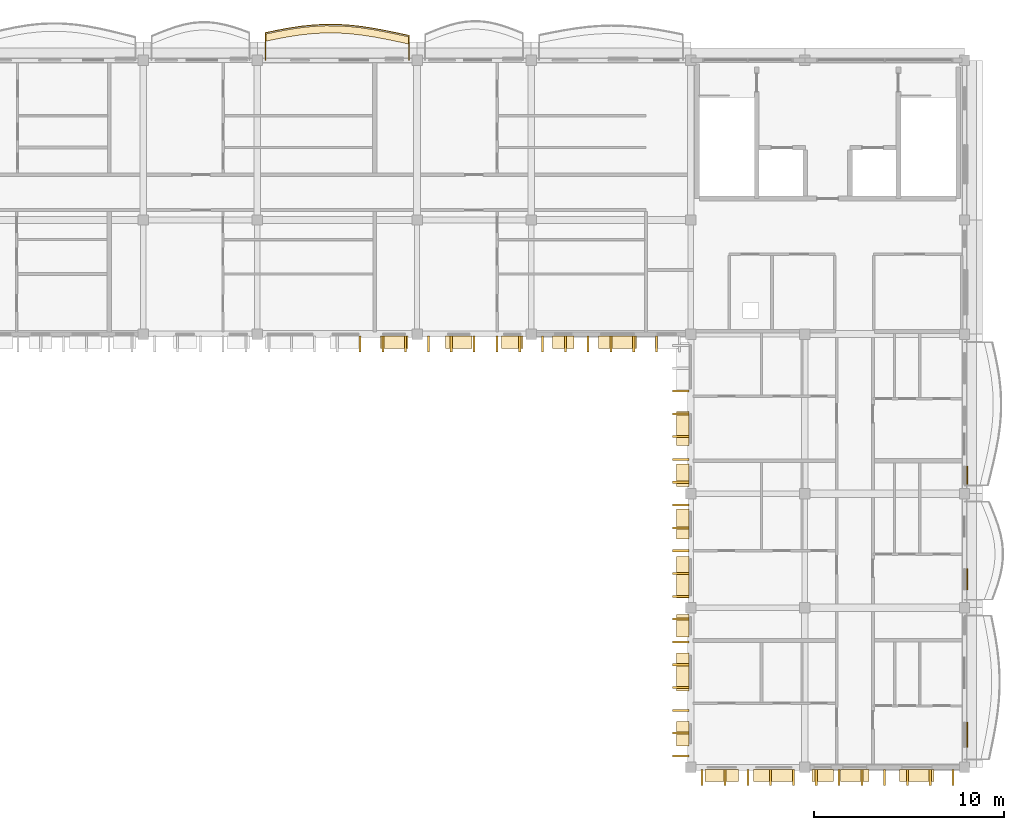
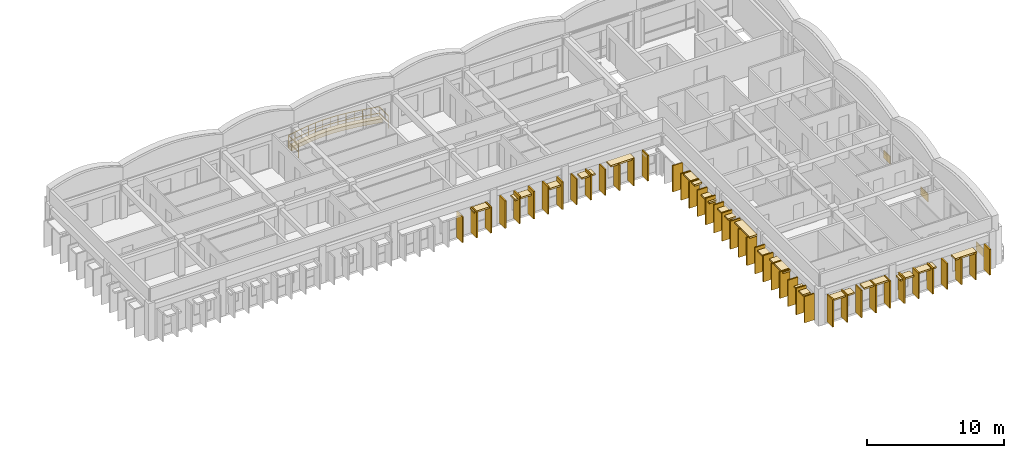
# One storey, part 25 of 28: 64 coverings, 1 railing.
"""IFC4 building model written with IfcOpenShell, lengths in metres."""

from ifc_helpers import new_model, si_unit, direction, frame, origin, origin_2d, place, context, subcontext, project, spatial, polyline, rectangle, outline, extrude, material, layer, layer_set, type_object, element, save


model = new_model("IFC4")

# Units and contexts
model_context = context("Model", 3, precision=1e-05, world=origin(), true_north=direction((0.0, 1.0)))
body_context = subcontext(model_context, "Body", "Model", "MODEL_VIEW")
ifc_project = project(units=[si_unit("LENGTHUNIT", "METRE"), si_unit("AREAUNIT", "SQUARE_METRE"), si_unit("VOLUMEUNIT", "CUBIC_METRE"), si_unit("PLANEANGLEUNIT", "RADIAN"), si_unit("MASSUNIT", "GRAM", prefix="KILO"), si_unit("THERMODYNAMICTEMPERATUREUNIT", "KELVIN")], contexts=[model_context])

# Site, building, storey
site_placement = place(None, origin())
site = spatial("IfcSite", under=ifc_project, at=site_placement, CompositionType="ELEMENT")
building_placement = place(site_placement, origin())
building = spatial("IfcBuilding", under=site, at=building_placement, Name="Thalorik Housing Commons", CompositionType="ELEMENT")
storey_placement = place(building_placement, frame((0.0, 0.0, 41.10009765625)))
storey = spatial("IfcBuildingStorey", under=building, at=storey_placement, Name="L12", CompositionType="ELEMENT", Elevation=41.10009765625)

# Coverings
ifc_material_1 = material(Name="Cobalt blue glazed ceramic facade tile panel", Category="masonry")
ifc_layer_1 = layer(ifc_material_1, 0.06005859375, Name="Cobalt blue glazed ceramic facade tile panel", Category="masonry")
ifc_layer_set_1 = layer_set([ifc_layer_1], Name="Cobalt blue glazed ceramic facade tile panel")
covering_type_1 = type_object("IfcCoveringType", Name="ARC-CLD-BLU-60", PredefinedType="CLADDING", material=ifc_layer_set_1)
covering_1_placement = place(storey_placement, frame((166.9375, 101.760009765625, 0.0498046875), z_axis=(0.0, 0.0, 1.0), x_axis=(0.0, 1.0, 0.0)))
element("IfcCovering", 1, at=covering_1_placement, inside=storey, type_object=covering_type_1, Name="L12 De Stijl Recessed Window Spandrel 3400", PredefinedType="CLADDING", context=body_context, shape_type="SweptSolid", body=[
    extrude(rectangle(XDim=0.949951171875, YDim=0.06005859375, at=origin_2d()), origin(), (0.0, 0.0, 1.0), 0.699951171875),
])
ifc_material_2 = material(Name="Precast concrete C40/50", Category="concrete")
ifc_layer_2 = layer(ifc_material_2, 0.85009765625, Name="Precast concrete C40/50", Category="concrete")
ifc_layer_set_2 = layer_set([ifc_layer_2], Name="Precast concrete C40/50")
covering_type_2 = type_object("IfcCoveringType", Name="ARC-CLD-FIN-850", PredefinedType="CLADDING", material=ifc_layer_set_2)
for number, where, z_axis, x_axis, name in (
    (2, (135.0, 108.672607421875, 0.0400390625), (0.0, 0.0, 1.0), (1.0, 0.0, 0.0), "L12 Courtyard Precast Vertical Brise-Soleil Fin 3328"),
    (3, (136.199951171875, 108.672607421875, 0.0400390625), (0.0, 0.0, 1.0), (1.0, 0.0, 0.0), "L12 Courtyard Precast Vertical Brise-Soleil Fin 3329"),
    (4, (137.39990234375, 108.672607421875, 0.0400390625), (0.0, 0.0, 1.0), (1.0, 0.0, 0.0), "L12 Courtyard Precast Vertical Brise-Soleil Fin 3330"),
):
    element("IfcCovering", number, at=place(storey_placement, frame(where, z_axis=z_axis, x_axis=x_axis)), inside=storey, type_object=covering_type_2, Name=name, PredefinedType="CLADDING", context=body_context, shape_type="SweptSolid", body=[
        extrude(rectangle(XDim=0.110107421875, YDim=0.85009765625, at=origin_2d()), origin(), (0.0, 0.0, 1.0), 2.294921875),
    ])
for number, where, z_axis, x_axis, name in (
    (5, (138.60009765625, 108.672607421875, 0.0400390625), (0.0, 0.0, 1.0), (1.0, 0.0, 0.0), "L12 Courtyard Precast Vertical Brise-Soleil Fin 3334"),
    (6, (139.800048828125, 108.672607421875, 0.0400390625), (0.0, 0.0, 1.0), (1.0, 0.0, 0.0), "L12 Courtyard Precast Vertical Brise-Soleil Fin 3335"),
    (7, (141.0, 108.672607421875, 0.0400390625), (0.0, 0.0, 1.0), (1.0, 0.0, 0.0), "L12 Courtyard Precast Vertical Brise-Soleil Fin 3336"),
    (8, (142.199951171875, 108.672607421875, 0.0400390625), (0.0, 0.0, 1.0), (1.0, 0.0, 0.0), "L12 Courtyard Precast Vertical Brise-Soleil Fin 3337"),
    (9, (143.39990234375, 108.672607421875, 0.0400390625), (0.0, 0.0, 1.0), (1.0, 0.0, 0.0), "L12 Courtyard Precast Vertical Brise-Soleil Fin 3338"),
):
    element("IfcCovering", number, at=place(storey_placement, frame(where, z_axis=z_axis, x_axis=x_axis)), inside=storey, type_object=covering_type_2, Name=name, PredefinedType="CLADDING", context=body_context, shape_type="SweptSolid", body=[
        extrude(rectangle(XDim=0.110107421875, YDim=0.85009765625, at=origin_2d()), origin(), (0.0, 0.0, 1.0), 2.445068359375),
    ])
for number, where, z_axis, x_axis, name in (
    (10, (144.60009765625, 108.672607421875, 0.0400390625), (0.0, 0.0, 1.0), (1.0, 0.0, 0.0), "L12 Courtyard Precast Vertical Brise-Soleil Fin 3341"),
    (11, (145.800048828125, 108.672607421875, 0.0400390625), (0.0, 0.0, 1.0), (1.0, 0.0, 0.0), "L12 Courtyard Precast Vertical Brise-Soleil Fin 3342"),
    (12, (147.0, 108.672607421875, 0.0400390625), (0.0, 0.0, 1.0), (1.0, 0.0, 0.0), "L12 Courtyard Precast Vertical Brise-Soleil Fin 3343"),
    (13, (148.199951171875, 108.672607421875, 0.0400390625), (0.0, 0.0, 1.0), (1.0, 0.0, 0.0), "L12 Courtyard Precast Vertical Brise-Soleil Fin 3344"),
    (14, (149.39990234375, 108.672607421875, 0.0400390625), (0.0, 0.0, 1.0), (1.0, 0.0, 0.0), "L12 Courtyard Precast Vertical Brise-Soleil Fin 3345"),
    (15, (150.60009765625, 108.672607421875, 0.0400390625), (0.0, 0.0, 1.0), (1.0, 0.0, 0.0), "L12 Courtyard Precast Vertical Brise-Soleil Fin 3346"),
):
    element("IfcCovering", number, at=place(storey_placement, frame(where, z_axis=z_axis, x_axis=x_axis)), inside=storey, type_object=covering_type_2, Name=name, PredefinedType="CLADDING", context=body_context, shape_type="SweptSolid", body=[
        extrude(rectangle(XDim=0.110107421875, YDim=0.85009765625, at=origin_2d()), origin(), (0.0, 0.0, 1.0), 2.294921875),
    ])
for number, where, z_axis, x_axis, name in (
    (16, (151.87255859375, 106.199951171875, 0.0400390625), (0.0, 0.0, 1.0), (0.0, -1.0, 0.0), "L12 Courtyard Precast Vertical Brise-Soleil Fin 3353"),
    (17, (151.87255859375, 105.0, 0.0400390625), (0.0, 0.0, 1.0), (0.0, -1.0, 0.0), "L12 Courtyard Precast Vertical Brise-Soleil Fin 3354"),
    (18, (151.87255859375, 103.800048828125, 0.0400390625), (0.0, 0.0, 1.0), (0.0, -1.0, 0.0), "L12 Courtyard Precast Vertical Brise-Soleil Fin 3355"),
    (19, (151.87255859375, 102.60009765625, 0.0400390625), (0.0, 0.0, 1.0), (0.0, -1.0, 0.0), "L12 Courtyard Precast Vertical Brise-Soleil Fin 3356"),
    (20, (151.87255859375, 101.39990234375, 0.0400390625), (0.0, 0.0, 1.0), (0.0, -1.0, 0.0), "L12 Courtyard Precast Vertical Brise-Soleil Fin 3357"),
):
    element("IfcCovering", number, at=place(storey_placement, frame(where, z_axis=z_axis, x_axis=x_axis)), inside=storey, type_object=covering_type_2, Name=name, PredefinedType="CLADDING", context=body_context, shape_type="SweptSolid", body=[
        extrude(rectangle(XDim=0.110107421875, YDim=0.85009765625, at=origin_2d()), origin(), (0.0, 0.0, 1.0), 2.344970703125),
    ])
for number, where, z_axis, x_axis, name in (
    (21, (151.87255859375, 100.199951171875, 0.039794921875), (0.0, 0.0, 1.0), (0.0, -1.0, 0.0), "L12 Courtyard Precast Vertical Brise-Soleil Fin 3361"),
    (22, (151.87255859375, 99.0, 0.039794921875), (0.0, 0.0, 1.0), (0.0, -1.0, 0.0), "L12 Courtyard Precast Vertical Brise-Soleil Fin 3362"),
    (23, (151.87255859375, 97.800048828125, 0.039794921875), (0.0, 0.0, 1.0), (0.0, -1.0, 0.0), "L12 Courtyard Precast Vertical Brise-Soleil Fin 3363"),
    (24, (151.87255859375, 96.60009765625, 0.039794921875), (0.0, 0.0, 1.0), (0.0, -1.0, 0.0), "L12 Courtyard Precast Vertical Brise-Soleil Fin 3364"),
    (25, (151.87255859375, 95.39990234375, 0.039794921875), (0.0, 0.0, 1.0), (0.0, -1.0, 0.0), "L12 Courtyard Precast Vertical Brise-Soleil Fin 3365"),
):
    element("IfcCovering", number, at=place(storey_placement, frame(where, z_axis=z_axis, x_axis=x_axis)), inside=storey, type_object=covering_type_2, Name=name, PredefinedType="CLADDING", context=body_context, shape_type="SweptSolid", body=[
        extrude(rectangle(XDim=0.110107421875, YDim=0.85009765625, at=origin_2d()), origin(), (0.0, 0.0, 1.0), 2.4951171875),
    ])
for number, where, z_axis, x_axis, name in (
    (26, (151.87255859375, 94.199951171875, 0.0400390625), (0.0, 0.0, 1.0), (0.0, -1.0, 0.0), "L12 Courtyard Precast Vertical Brise-Soleil Fin 3368"),
    (27, (151.87255859375, 93.0, 0.0400390625), (0.0, 0.0, 1.0), (0.0, -1.0, 0.0), "L12 Courtyard Precast Vertical Brise-Soleil Fin 3369"),
    (28, (151.87255859375, 91.800048828125, 0.0400390625), (0.0, 0.0, 1.0), (0.0, -1.0, 0.0), "L12 Courtyard Precast Vertical Brise-Soleil Fin 3370"),
    (29, (151.87255859375, 90.60009765625, 0.0400390625), (0.0, 0.0, 1.0), (0.0, -1.0, 0.0), "L12 Courtyard Precast Vertical Brise-Soleil Fin 3371"),
    (30, (151.87255859375, 89.39990234375, 0.0400390625), (0.0, 0.0, 1.0), (0.0, -1.0, 0.0), "L12 Courtyard Precast Vertical Brise-Soleil Fin 3372"),
    (31, (151.87255859375, 88.199951171875, 0.0400390625), (0.0, 0.0, 1.0), (0.0, -1.0, 0.0), "L12 Courtyard Precast Vertical Brise-Soleil Fin 3373"),
    (32, (151.87255859375, 87.0, 0.0400390625), (0.0, 0.0, 1.0), (0.0, -1.0, 0.0), "L12 Courtyard Precast Vertical Brise-Soleil Fin 3374"),
):
    element("IfcCovering", number, at=place(storey_placement, frame(where, z_axis=z_axis, x_axis=x_axis)), inside=storey, type_object=covering_type_2, Name=name, PredefinedType="CLADDING", context=body_context, shape_type="SweptSolid", body=[
        extrude(rectangle(XDim=0.110107421875, YDim=0.85009765625, at=origin_2d()), origin(), (0.0, 0.0, 1.0), 2.344970703125),
    ])
for number, where, z_axis, x_axis, name in (
    (33, (153.0, 85.87255859375, 0.0400390625), (0.0, 0.0, 1.0), (1.0, 0.0, 0.0), "L12 Courtyard Precast Vertical Brise-Soleil Fin 3378"),
    (34, (154.199951171875, 85.87255859375, 0.0400390625), (0.0, 0.0, 1.0), (1.0, 0.0, 0.0), "L12 Courtyard Precast Vertical Brise-Soleil Fin 3379"),
    (35, (155.39990234375, 85.87255859375, 0.0400390625), (0.0, 0.0, 1.0), (1.0, 0.0, 0.0), "L12 Courtyard Precast Vertical Brise-Soleil Fin 3380"),
    (36, (156.60009765625, 85.87255859375, 0.0400390625), (0.0, 0.0, 1.0), (1.0, 0.0, 0.0), "L12 Courtyard Precast Vertical Brise-Soleil Fin 3381"),
    (37, (157.800048828125, 85.87255859375, 0.0400390625), (0.0, 0.0, 1.0), (1.0, 0.0, 0.0), "L12 Courtyard Precast Vertical Brise-Soleil Fin 3382"),
):
    element("IfcCovering", number, at=place(storey_placement, frame(where, z_axis=z_axis, x_axis=x_axis)), inside=storey, type_object=covering_type_2, Name=name, PredefinedType="CLADDING", context=body_context, shape_type="SweptSolid", body=[
        extrude(rectangle(XDim=0.110107421875, YDim=0.85009765625, at=origin_2d()), origin(), (0.0, 0.0, 1.0), 2.445068359375),
    ])
for number, where, z_axis, x_axis, name in (
    (38, (159.0, 85.87255859375, 0.0400390625), (0.0, 0.0, 1.0), (1.0, 0.0, 0.0), "L12 Courtyard Precast Vertical Brise-Soleil Fin 3385"),
    (39, (160.199951171875, 85.87255859375, 0.0400390625), (0.0, 0.0, 1.0), (1.0, 0.0, 0.0), "L12 Courtyard Precast Vertical Brise-Soleil Fin 3386"),
    (40, (161.39990234375, 85.87255859375, 0.0400390625), (0.0, 0.0, 1.0), (1.0, 0.0, 0.0), "L12 Courtyard Precast Vertical Brise-Soleil Fin 3387"),
    (41, (162.60009765625, 85.87255859375, 0.0400390625), (0.0, 0.0, 1.0), (1.0, 0.0, 0.0), "L12 Courtyard Precast Vertical Brise-Soleil Fin 3388"),
    (42, (163.800048828125, 85.87255859375, 0.0400390625), (0.0, 0.0, 1.0), (1.0, 0.0, 0.0), "L12 Courtyard Precast Vertical Brise-Soleil Fin 3389"),
    (43, (165.0, 85.87255859375, 0.0400390625), (0.0, 0.0, 1.0), (1.0, 0.0, 0.0), "L12 Courtyard Precast Vertical Brise-Soleil Fin 3390"),
    (44, (166.199951171875, 85.87255859375, 0.0400390625), (0.0, 0.0, 1.0), (1.0, 0.0, 0.0), "L12 Courtyard Precast Vertical Brise-Soleil Fin 3391"),
):
    element("IfcCovering", number, at=place(storey_placement, frame(where, z_axis=z_axis, x_axis=x_axis)), inside=storey, type_object=covering_type_2, Name=name, PredefinedType="CLADDING", context=body_context, shape_type="SweptSolid", body=[
        extrude(rectangle(XDim=0.110107421875, YDim=0.85009765625, at=origin_2d()), origin(), (0.0, 0.0, 1.0), 2.294921875),
    ])
ifc_layer_3 = layer(ifc_material_2, 0.64990234375, Name="Precast concrete C40/50", Category="concrete")
ifc_layer_set_3 = layer_set([ifc_layer_3], Name="Precast concrete C40/50")
covering_type_3 = type_object("IfcCoveringType", Name="ARC-CLD-HOOD-650", PredefinedType="CLADDING", material=ifc_layer_set_3)
covering_2_placement = place(storey_placement, frame((136.7900390625, 108.7724609375, 2.14013671875), z_axis=(0.0, 0.0, 1.0), x_axis=(1.0, 0.0, 0.0)))
element("IfcCovering", 45, at=covering_2_placement, inside=storey, type_object=covering_type_3, Name="L12 Courtyard Precast Window Sun-Hood 3333", PredefinedType="CLADDING", context=body_context, shape_type="SweptSolid", body=[
    extrude(rectangle(XDim=1.43994140625, YDim=0.64990234375, at=origin_2d()), origin(), (0.0, 0.0, 1.0), 0.139892578125),
])
covering_3_placement = place(storey_placement, frame((140.199951171875, 108.7724609375, 2.0400390625), z_axis=(0.0, 0.0, 1.0), x_axis=(1.0, 0.0, 0.0)))
element("IfcCovering", 46, at=covering_3_placement, inside=storey, type_object=covering_type_3, Name="L12 Courtyard Precast Window Sun-Hood 3339", PredefinedType="CLADDING", context=body_context, shape_type="SweptSolid", body=[
    extrude(rectangle(XDim=1.389892578125, YDim=0.64990234375, at=origin_2d()), origin(), (0.0, 0.0, 1.0), 0.139892578125),
])
for number, where, z_axis, x_axis, name in (
    (47, (143.010009765625, 108.7724609375, 1.98974609375), (0.0, 0.0, 1.0), (1.0, 0.0, 0.0), "L12 Courtyard Precast Window Sun-Hood 3340"),
    (48, (145.68994140625, 108.7724609375, 1.98974609375), (0.0, 0.0, 1.0), (1.0, 0.0, 0.0), "L12 Courtyard Precast Window Sun-Hood 3348"),
):
    element("IfcCovering", number, at=place(storey_placement, frame(where, z_axis=z_axis, x_axis=x_axis)), inside=storey, type_object=covering_type_3, Name=name, PredefinedType="CLADDING", context=body_context, shape_type="SweptSolid", body=[
        extrude(rectangle(XDim=1.139892578125, YDim=0.64990234375, at=origin_2d()), origin(), (0.0, 0.0, 1.0), 0.139892578125),
    ])
covering_4_placement = place(storey_placement, frame((148.550048828125, 108.7724609375, 2.22509765625), z_axis=(0.0, 0.0, 1.0), x_axis=(1.0, 0.0, 0.0)))
element("IfcCovering", 49, at=covering_4_placement, inside=storey, type_object=covering_type_3, Name="L12 Courtyard Precast Window Sun-Hood 3349", PredefinedType="CLADDING", context=body_context, shape_type="SweptSolid", body=[
    extrude(rectangle(XDim=1.989990234375, YDim=0.64990234375, at=origin_2d()), origin(), (0.0, 0.0, 1.0), 0.139892578125),
])
covering_5_placement = place(storey_placement, frame((151.972412109375, 104.232421875, 2.18994140625), z_axis=(0.0, 0.0, 1.0), x_axis=(0.0, -1.0, 0.0)))
element("IfcCovering", 50, at=covering_5_placement, inside=storey, type_object=covering_type_3, Name="L12 Courtyard Precast Window Sun-Hood 3359", PredefinedType="CLADDING", context=body_context, shape_type="SweptSolid", body=[
    extrude(rectangle(XDim=1.7900390625, YDim=0.64990234375, at=origin_2d()), origin(), (0.0, 0.0, 1.0), 0.139892578125),
])
covering_6_placement = place(storey_placement, frame((151.972412109375, 101.760009765625, 1.93994140625), z_axis=(0.0, 0.0, 1.0), x_axis=(0.0, -1.0, 0.0)))
element("IfcCovering", 51, at=covering_6_placement, inside=storey, type_object=covering_type_3, Name="L12 Courtyard Precast Window Sun-Hood 3360", PredefinedType="CLADDING", context=body_context, shape_type="SweptSolid", body=[
    extrude(rectangle(XDim=1.18994140625, YDim=0.64990234375, at=origin_2d()), origin(), (0.0, 0.0, 1.0), 0.139892578125),
])
covering_7_placement = place(storey_placement, frame((151.972412109375, 99.20751953125, 2.14013671875), z_axis=(0.0, 0.0, 1.0), x_axis=(0.0, -1.0, 0.0)))
element("IfcCovering", 52, at=covering_7_placement, inside=storey, type_object=covering_type_3, Name="L12 Courtyard Precast Window Sun-Hood 3366", PredefinedType="CLADDING", context=body_context, shape_type="SweptSolid", body=[
    extrude(rectangle(XDim=1.56005859375, YDim=0.64990234375, at=origin_2d()), origin(), (0.0, 0.0, 1.0), 0.139892578125),
])
covering_8_placement = place(storey_placement, frame((151.972412109375, 96.3974609375, 2.4248046875), z_axis=(0.0, 0.0, 1.0), x_axis=(0.0, -1.0, 0.0)))
element("IfcCovering", 53, at=covering_8_placement, inside=storey, type_object=covering_type_3, Name="L12 Courtyard Precast Window Sun-Hood 3367", PredefinedType="CLADDING", context=body_context, shape_type="SweptSolid", body=[
    extrude(rectangle(XDim=2.18994140625, YDim=0.64990234375, at=origin_2d()), origin(), (0.0, 0.0, 1.0), 0.139892578125),
])
covering_9_placement = place(storey_placement, frame((151.972412109375, 93.844970703125, 1.93994140625), z_axis=(0.0, 0.0, 1.0), x_axis=(0.0, -1.0, 0.0)))
element("IfcCovering", 54, at=covering_9_placement, inside=storey, type_object=covering_type_3, Name="L12 Courtyard Precast Window Sun-Hood 3375", PredefinedType="CLADDING", context=body_context, shape_type="SweptSolid", body=[
    extrude(rectangle(XDim=1.18994140625, YDim=0.64990234375, at=origin_2d()), origin(), (0.0, 0.0, 1.0), 0.139892578125),
])
covering_10_placement = place(storey_placement, frame((151.972412109375, 91.425048828125, 2.23974609375), z_axis=(0.0, 0.0, 1.0), x_axis=(0.0, -1.0, 0.0)))
element("IfcCovering", 55, at=covering_10_placement, inside=storey, type_object=covering_type_3, Name="L12 Courtyard Precast Window Sun-Hood 3376", PredefinedType="CLADDING", context=body_context, shape_type="SweptSolid", body=[
    extrude(rectangle(XDim=1.989990234375, YDim=0.64990234375, at=origin_2d()), origin(), (0.0, 0.0, 1.0), 0.139892578125),
])
covering_11_placement = place(storey_placement, frame((151.972412109375, 88.179931640625, 1.98974609375), z_axis=(0.0, 0.0, 1.0), x_axis=(0.0, -1.0, 0.0)))
element("IfcCovering", 56, at=covering_11_placement, inside=storey, type_object=covering_type_3, Name="L12 Courtyard Precast Window Sun-Hood 3377", PredefinedType="CLADDING", context=body_context, shape_type="SweptSolid", body=[
    extrude(rectangle(XDim=1.2900390625, YDim=0.64990234375, at=origin_2d()), origin(), (0.0, 0.0, 1.0), 0.139892578125),
])
covering_12_placement = place(storey_placement, frame((154.030029296875, 85.972412109375, 2.2099609375), z_axis=(0.0, 0.0, 1.0), x_axis=(1.0, 0.0, 0.0)))
element("IfcCovering", 57, at=covering_12_placement, inside=storey, type_object=covering_type_3, Name="L12 Courtyard Precast Window Sun-Hood 3383", PredefinedType="CLADDING", context=body_context, shape_type="SweptSolid", body=[
    extrude(rectangle(XDim=1.760009765625, YDim=0.64990234375, at=origin_2d()), origin(), (0.0, 0.0, 1.0), 0.139892578125),
])
covering_13_placement = place(storey_placement, frame((156.77001953125, 85.972412109375, 2.31005859375), z_axis=(0.0, 0.0, 1.0), x_axis=(1.0, 0.0, 0.0)))
element("IfcCovering", 58, at=covering_13_placement, inside=storey, type_object=covering_type_3, Name="L12 Courtyard Precast Window Sun-Hood 3384", PredefinedType="CLADDING", context=body_context, shape_type="SweptSolid", body=[
    extrude(rectangle(XDim=2.1201171875, YDim=0.64990234375, at=origin_2d()), origin(), (0.0, 0.0, 1.0), 0.139892578125),
])
covering_14_placement = place(storey_placement, frame((159.3349609375, 85.972412109375, 1.98974609375), z_axis=(0.0, 0.0, 1.0), x_axis=(1.0, 0.0, 0.0)))
element("IfcCovering", 59, at=covering_14_placement, inside=storey, type_object=covering_type_3, Name="L12 Courtyard Precast Window Sun-Hood 3392", PredefinedType="CLADDING", context=body_context, shape_type="SweptSolid", body=[
    extrude(rectangle(XDim=1.139892578125, YDim=0.64990234375, at=origin_2d()), origin(), (0.0, 0.0, 1.0), 0.139892578125),
])
covering_15_placement = place(storey_placement, frame((161.030029296875, 85.972412109375, 2.08984375), z_axis=(0.0, 0.0, 1.0), x_axis=(1.0, 0.0, 0.0)))
element("IfcCovering", 60, at=covering_15_placement, inside=storey, type_object=covering_type_3, Name="L12 Courtyard Precast Window Sun-Hood 3393", PredefinedType="CLADDING", context=body_context, shape_type="SweptSolid", body=[
    extrude(rectangle(XDim=1.489990234375, YDim=0.64990234375, at=origin_2d()), origin(), (0.0, 0.0, 1.0), 0.139892578125),
])
covering_16_placement = place(storey_placement, frame((164.294921875, 85.972412109375, 2.22509765625), z_axis=(0.0, 0.0, 1.0), x_axis=(1.0, 0.0, 0.0)))
element("IfcCovering", 61, at=covering_16_placement, inside=storey, type_object=covering_type_3, Name="L12 Courtyard Precast Window Sun-Hood 3394", PredefinedType="CLADDING", context=body_context, shape_type="SweptSolid", body=[
    extrude(rectangle(XDim=1.820068359375, YDim=0.64990234375, at=origin_2d()), origin(), (0.0, 0.0, 1.0), 0.139892578125),
])
ifc_material_3 = material(Name="Terracotta red mineral fibre-cement panel", Category="masonry")
ifc_layer_4 = layer(ifc_material_3, 0.054931640625, Name="Terracotta red mineral fibre-cement panel", Category="masonry")
ifc_layer_set_4 = layer_set([ifc_layer_4], Name="Terracotta red mineral fibre-cement panel")
covering_type_4 = type_object("IfcCoveringType", Name="ARC-CLD-RED-55", PredefinedType="CLADDING", material=ifc_layer_set_4)
covering_17_placement = place(storey_placement, frame((166.93505859375, 96.302978515625, 0.0498046875), z_axis=(0.0, 0.0, 1.0), x_axis=(0.0, 1.0, 0.0)))
element("IfcCovering", 62, at=covering_17_placement, inside=storey, type_object=covering_type_4, Name="L12 De Stijl Recessed Window Spandrel 3398", PredefinedType="CLADDING", context=body_context, shape_type="SweptSolid", body=[
    extrude(rectangle(XDim=1.10009765625, YDim=0.054931640625, at=origin_2d()), origin(), (0.0, 0.0, 1.0), 0.699951171875),
])
ifc_material_4 = material(Name="Mineral ochre architectural terracotta panel", Category="masonry")
ifc_layer_5 = layer(ifc_material_4, 0.06494140625, Name="Mineral ochre architectural terracotta panel", Category="masonry")
ifc_layer_set_5 = layer_set([ifc_layer_5], Name="Mineral ochre architectural terracotta panel")
covering_type_5 = type_object("IfcCoveringType", Name="ARC-CLD-YEL-65", PredefinedType="CLADDING", material=ifc_layer_set_5)
covering_18_placement = place(storey_placement, frame((166.93994140625, 88.11376953125, 0.0498046875), z_axis=(0.0, 0.0, 1.0), x_axis=(0.0, 1.0, 0.0)))
element("IfcCovering", 63, at=covering_18_placement, inside=storey, type_object=covering_type_5, Name="L12 De Stijl Recessed Window Spandrel 3396", PredefinedType="CLADDING", context=body_context, shape_type="SweptSolid", body=[
    extrude(rectangle(XDim=1.300048828125, YDim=0.06494140625, at=origin_2d()), origin(), (0.0, 0.0, 1.0), 0.699951171875),
])
ifc_material_5 = material(Name="Planted vegetated substrate and terracotta trough", Category="masonry")
ifc_layer_6 = layer(ifc_material_5, 0.340087890625, Name="Planted vegetated substrate and terracotta trough", Category="masonry")
ifc_layer_set_6 = layer_set([ifc_layer_6], Name="Planted vegetated substrate and terracotta trough")
covering_type_6 = type_object("IfcCoveringType", Name="ARC-COV-PLANTER", PredefinedType="USERDEFINED", material=ifc_layer_set_6)
covering_19_placement = place(storey_placement, origin())
element("IfcCovering", 64, at=covering_19_placement, inside=storey, type_object=covering_type_6, Name="L12 Balcony Slab-Edge Planted Trough 5561", ObjectType="PLANTER", PredefinedType="USERDEFINED", context=body_context, shape_type="SweptSolid", body=[
    extrude(outline(polyline([(137.580078125, 124.834228515625), (136.949951171875, 124.968017578125), (136.320068359375, 125.09765625), (135.68994140625, 125.214599609375), (135.06005859375, 125.310791015625), (134.429931640625, 125.379638671875), (133.800048828125, 125.41650390625), (133.169921875, 125.4189453125), (132.5400390625, 125.386474609375), (131.909912109375, 125.32080078125), (131.280029296875, 125.226806640625), (130.64990234375, 125.110107421875), (130.02001953125, 124.978515625), (130.02001953125, 124.5986328125), (130.64990234375, 124.72998046875), (131.280029296875, 124.8466796875), (131.909912109375, 124.94091796875), (132.5400390625, 125.00634765625), (133.169921875, 125.038818359375), (133.800048828125, 125.03662109375), (134.429931640625, 124.99951171875), (135.06005859375, 124.9306640625), (135.68994140625, 124.83447265625), (136.320068359375, 124.717529296875), (136.949951171875, 124.587890625), (137.580078125, 124.4541015625), (137.580078125, 124.834228515625)])), origin(), (0.0, 0.0, 1.0), 0.33984375),
])

# Railing
ifc_material_6 = material(Name="Steel S355", Category="steel")
railing_type = type_object("IfcRailingType", Name="ARC-RL-BAL-115", PredefinedType="BALUSTRADE", material=ifc_material_6)
railing_placement = place(storey_placement, frame((137.580078125, 123.60009765625, 0.0)))
element("IfcRailing", 65, at=railing_placement, inside=storey, type_object=railing_type, Name="L12 Cushion Balcony Guardrail 245", PredefinedType="BALUSTRADE", context=body_context, shape_type="SweptSolid", body=[
    extrude(rectangle(XDim=0.050048828125, YDim=0.050048828125, at=origin_2d()), frame((0.0, 0.0, 1.125), z_axis=(0.0, 1.0, 0.0), x_axis=(-1.0, 0.0, 0.0)), (0.0, 0.0, 1.0), 1.30419921875),
    extrude(rectangle(XDim=0.050048828125, YDim=0.050048828125, at=origin_2d()), frame((0.0, 0.0, 0.5498046875), z_axis=(0.0, 1.0, 0.0), x_axis=(-1.0, 0.0, 0.0)), (0.0, 0.0, 1.0), 1.30419921875),
    extrude(rectangle(XDim=0.050048828125, YDim=0.050048828125, at=origin_2d()), frame((0.0, 1.30419921875, 1.125), z_axis=(-0.978271412584, 0.207328346642, 0.0), x_axis=(-0.207328346642, -0.978271412584, 0.0)), (0.0, 0.0, 1.0), 0.64404296875),
    extrude(rectangle(XDim=0.050048828125, YDim=0.050048828125, at=origin_2d()), frame((0.0, 1.30419921875, 0.5498046875), z_axis=(-0.978271412584, 0.207328346642, 0.0), x_axis=(-0.207328346642, -0.978271412584, 0.0)), (0.0, 0.0, 1.0), 0.64404296875),
    extrude(rectangle(XDim=0.050048828125, YDim=0.050048828125, at=origin_2d()), frame((-0.630126953125, 1.437744140625, 1.125), z_axis=(-0.979470273401, 0.201588649293, 0.0), x_axis=(-0.201588649293, -0.979470273401, 0.0)), (0.0, 0.0, 1.0), 0.64306640625),
    extrude(rectangle(XDim=0.050048828125, YDim=0.050048828125, at=origin_2d()), frame((-0.630126953125, 1.437744140625, 0.5498046875), z_axis=(-0.979470273401, 0.201588649293, 0.0), x_axis=(-0.201588649293, -0.979470273401, 0.0)), (0.0, 0.0, 1.0), 0.64306640625),
    extrude(rectangle(XDim=0.050048828125, YDim=0.050048828125, at=origin_2d()), frame((-1.260009765625, 1.5673828125, 1.125), z_axis=(-0.983211198872, 0.182471198861, 0.0), x_axis=(-0.182471198861, -0.983211198872, 0.0)), (0.0, 0.0, 1.0), 0.640869140625),
    extrude(rectangle(XDim=0.050048828125, YDim=0.050048828125, at=origin_2d()), frame((-1.260009765625, 1.5673828125, 0.5498046875), z_axis=(-0.983211198872, 0.182471198861, 0.0), x_axis=(-0.182471198861, -0.983211198872, 0.0)), (0.0, 0.0, 1.0), 0.640869140625),
    extrude(rectangle(XDim=0.050048828125, YDim=0.050048828125, at=origin_2d()), frame((-1.89013671875, 1.684326171875, 1.125), z_axis=(-0.988539414432, 0.150962995847, 0.0), x_axis=(-0.150962995847, -0.988539414432, 0.0)), (0.0, 0.0, 1.0), 0.63720703125),
    extrude(rectangle(XDim=0.050048828125, YDim=0.050048828125, at=origin_2d()), frame((-1.89013671875, 1.684326171875, 0.5498046875), z_axis=(-0.988539414432, 0.150962995847, 0.0), x_axis=(-0.150962995847, -0.988539414432, 0.0)), (0.0, 0.0, 1.0), 0.63720703125),
    extrude(rectangle(XDim=0.050048828125, YDim=0.050048828125, at=origin_2d()), frame((-2.52001953125, 1.780517578125, 1.125), z_axis=(-0.994042387071, 0.108994186572, 0.0), x_axis=(-0.108994186572, -0.994042387071, 0.0)), (0.0, 0.0, 1.0), 0.6337890625),
    extrude(rectangle(XDim=0.050048828125, YDim=0.050048828125, at=origin_2d()), frame((-2.52001953125, 1.780517578125, 0.5498046875), z_axis=(-0.994042387071, 0.108994186572, 0.0), x_axis=(-0.108994186572, -0.994042387071, 0.0)), (0.0, 0.0, 1.0), 0.6337890625),
    extrude(rectangle(XDim=0.050048828125, YDim=0.050048828125, at=origin_2d()), frame((-3.150146484375, 1.849609375, 1.125), z_axis=(-0.998291674977, 0.058427148419, 0.0), x_axis=(-0.058427148419, -0.998291674977, 0.0)), (0.0, 0.0, 1.0), 0.630859375),
    extrude(rectangle(XDim=0.050048828125, YDim=0.050048828125, at=origin_2d()), frame((-3.150146484375, 1.849609375, 0.5498046875), z_axis=(-0.998291674977, 0.058427148419, 0.0), x_axis=(-0.058427148419, -0.998291674977, 0.0)), (0.0, 0.0, 1.0), 0.630859375),
    extrude(rectangle(XDim=0.050048828125, YDim=0.050048828125, at=origin_2d()), frame((-3.780029296875, 1.886474609375, 1.125), z_axis=(-0.999992494336, 0.00387443818, 0.0), x_axis=(-0.00387443818, -0.999992494336, 0.0)), (0.0, 0.0, 1.0), 0.630126953125),
    extrude(rectangle(XDim=0.050048828125, YDim=0.050048828125, at=origin_2d()), frame((-3.780029296875, 1.886474609375, 0.5498046875), z_axis=(-0.999992494336, 0.00387443818, 0.0), x_axis=(-0.00387443818, -0.999992494336, 0.0)), (0.0, 0.0, 1.0), 0.630126953125),
    extrude(rectangle(XDim=0.050048828125, YDim=0.050048828125, at=origin_2d()), frame((-4.41015625, 1.888916015625, 1.125), z_axis=(-0.998653945563, -0.051868073142, 0.0), x_axis=(0.051868073142, -0.998653945563, 0.0)), (0.0, 0.0, 1.0), 0.630615234375),
    extrude(rectangle(XDim=0.050048828125, YDim=0.050048828125, at=origin_2d()), frame((-4.41015625, 1.888916015625, 0.5498046875), z_axis=(-0.998653945563, -0.051868073142, 0.0), x_axis=(0.051868073142, -0.998653945563, 0.0)), (0.0, 0.0, 1.0), 0.630615234375),
    extrude(rectangle(XDim=0.050048828125, YDim=0.050048828125, at=origin_2d()), frame((-5.0400390625, 1.856201171875, 1.125), z_axis=(-0.994652276505, -0.103280437855, 0.0), x_axis=(0.103280437855, -0.994652276505, 0.0)), (0.0, 0.0, 1.0), 0.633544921875),
    extrude(rectangle(XDim=0.050048828125, YDim=0.050048828125, at=origin_2d()), frame((-5.0400390625, 1.856201171875, 0.5498046875), z_axis=(-0.994652276505, -0.103280437855, 0.0), x_axis=(0.103280437855, -0.994652276505, 0.0)), (0.0, 0.0, 1.0), 0.633544921875),
    extrude(rectangle(XDim=0.050048828125, YDim=0.050048828125, at=origin_2d()), frame((-5.670166015625, 1.790771484375, 1.125), z_axis=(-0.988992516102, -0.147965546983, 0.0), x_axis=(0.147965546983, -0.988992516102, 0.0)), (0.0, 0.0, 1.0), 0.636962890625),
    extrude(rectangle(XDim=0.050048828125, YDim=0.050048828125, at=origin_2d()), frame((-5.670166015625, 1.790771484375, 0.5498046875), z_axis=(-0.988992516102, -0.147965546983, 0.0), x_axis=(0.147965546983, -0.988992516102, 0.0)), (0.0, 0.0, 1.0), 0.636962890625),
    extrude(rectangle(XDim=0.050048828125, YDim=0.050048828125, at=origin_2d()), frame((-6.300048828125, 1.696533203125, 1.125), z_axis=(-0.983279478574, -0.18210290227, 0.0), x_axis=(0.18210290227, -0.983279478574, 0.0)), (0.0, 0.0, 1.0), 0.640869140625),
    extrude(rectangle(XDim=0.050048828125, YDim=0.050048828125, at=origin_2d()), frame((-6.300048828125, 1.696533203125, 0.5498046875), z_axis=(-0.983279478574, -0.18210290227, 0.0), x_axis=(0.18210290227, -0.983279478574, 0.0)), (0.0, 0.0, 1.0), 0.640869140625),
    extrude(rectangle(XDim=0.050048828125, YDim=0.050048828125, at=origin_2d()), frame((-6.93017578125, 1.579833984375, 1.125), z_axis=(-0.978942522478, -0.204136076393, 0.0), x_axis=(0.204136076393, -0.978942522478, 0.0)), (0.0, 0.0, 1.0), 0.643310546875),
    extrude(rectangle(XDim=0.050048828125, YDim=0.050048828125, at=origin_2d()), frame((-6.93017578125, 1.579833984375, 0.5498046875), z_axis=(-0.978942522478, -0.204136076393, 0.0), x_axis=(0.204136076393, -0.978942522478, 0.0)), (0.0, 0.0, 1.0), 0.643310546875),
    extrude(rectangle(XDim=0.050048828125, YDim=0.050048828125, at=origin_2d()), frame((-7.56005859375, 1.448486328125, 1.125), z_axis=(0.0, -1.0, 0.0), x_axis=(1.0, 0.0, 0.0)), (0.0, 0.0, 1.0), 1.448486328125),
    extrude(rectangle(XDim=0.050048828125, YDim=0.050048828125, at=origin_2d()), frame((-7.56005859375, 1.448486328125, 0.5498046875), z_axis=(0.0, -1.0, 0.0), x_axis=(1.0, 0.0, 0.0)), (0.0, 0.0, 1.0), 1.448486328125),
    extrude(rectangle(XDim=0.0419921875, YDim=0.0419921875, at=origin_2d()), origin(), (0.0, 0.0, 1.0), 1.099853515625),
    extrude(rectangle(XDim=0.0419921875, YDim=0.0419921875, at=origin_2d()), frame((0.0, 1.30419921875, 0.0)), (0.0, 0.0, 1.0), 1.099853515625),
    extrude(rectangle(XDim=0.0419921875, YDim=0.0419921875, at=origin_2d()), frame((-0.630126953125, 1.437744140625, 0.0)), (0.0, 0.0, 1.0), 1.099853515625),
    extrude(rectangle(XDim=0.0419921875, YDim=0.0419921875, at=origin_2d()), frame((-1.260009765625, 1.5673828125, 0.0)), (0.0, 0.0, 1.0), 1.099853515625),
    extrude(rectangle(XDim=0.0419921875, YDim=0.0419921875, at=origin_2d()), frame((-1.89013671875, 1.684326171875, 0.0)), (0.0, 0.0, 1.0), 1.099853515625),
    extrude(rectangle(XDim=0.0419921875, YDim=0.0419921875, at=origin_2d()), frame((-2.52001953125, 1.780517578125, 0.0)), (0.0, 0.0, 1.0), 1.099853515625),
    extrude(rectangle(XDim=0.0419921875, YDim=0.0419921875, at=origin_2d()), frame((-3.150146484375, 1.849609375, 0.0)), (0.0, 0.0, 1.0), 1.099853515625),
    extrude(rectangle(XDim=0.0419921875, YDim=0.0419921875, at=origin_2d()), frame((-3.780029296875, 1.886474609375, 0.0)), (0.0, 0.0, 1.0), 1.099853515625),
    extrude(rectangle(XDim=0.0419921875, YDim=0.0419921875, at=origin_2d()), frame((-4.41015625, 1.888916015625, 0.0)), (0.0, 0.0, 1.0), 1.099853515625),
    extrude(rectangle(XDim=0.0419921875, YDim=0.0419921875, at=origin_2d()), frame((-5.0400390625, 1.856201171875, 0.0)), (0.0, 0.0, 1.0), 1.099853515625),
    extrude(rectangle(XDim=0.0419921875, YDim=0.0419921875, at=origin_2d()), frame((-5.670166015625, 1.790771484375, 0.0)), (0.0, 0.0, 1.0), 1.099853515625),
    extrude(rectangle(XDim=0.0419921875, YDim=0.0419921875, at=origin_2d()), frame((-6.300048828125, 1.696533203125, 0.0)), (0.0, 0.0, 1.0), 1.099853515625),
    extrude(rectangle(XDim=0.0419921875, YDim=0.0419921875, at=origin_2d()), frame((-6.93017578125, 1.579833984375, 0.0)), (0.0, 0.0, 1.0), 1.099853515625),
    extrude(rectangle(XDim=0.0419921875, YDim=0.0419921875, at=origin_2d()), frame((-7.56005859375, 1.448486328125, 0.0)), (0.0, 0.0, 1.0), 1.099853515625),
    extrude(rectangle(XDim=0.0419921875, YDim=0.0419921875, at=origin_2d()), frame((-7.56005859375, 0.0, 0.0)), (0.0, 0.0, 1.0), 1.099853515625),
])

save(model, "model.ifc")
